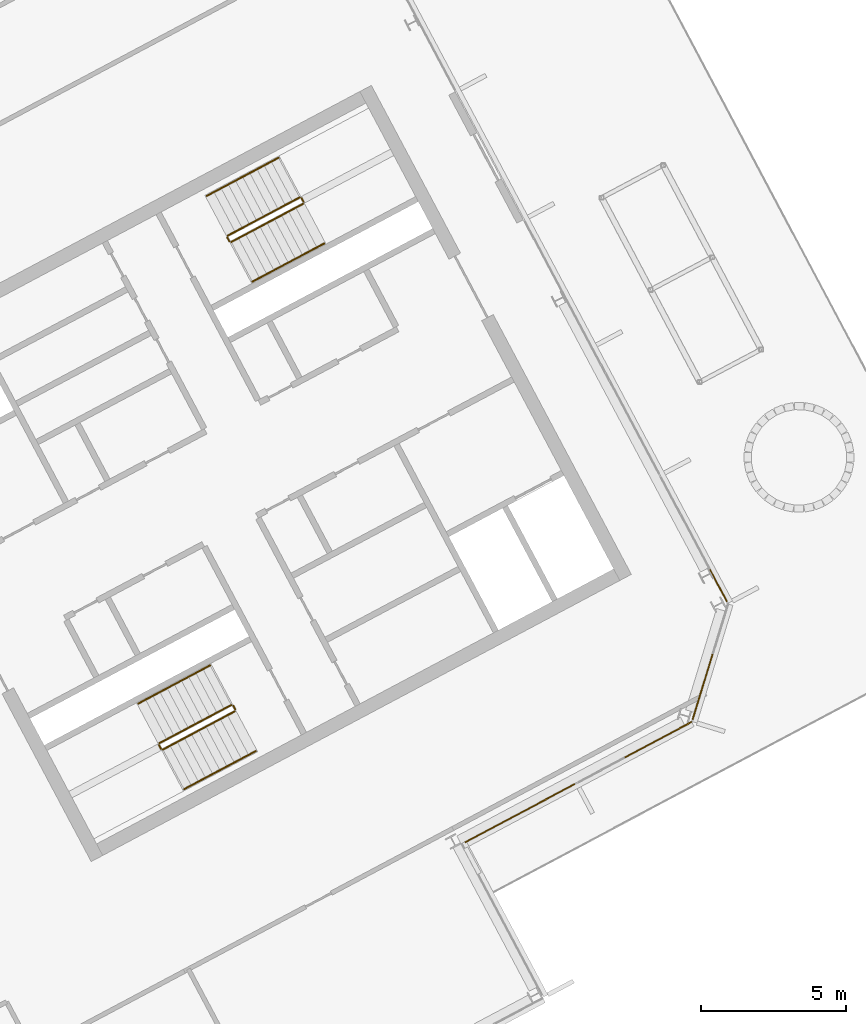
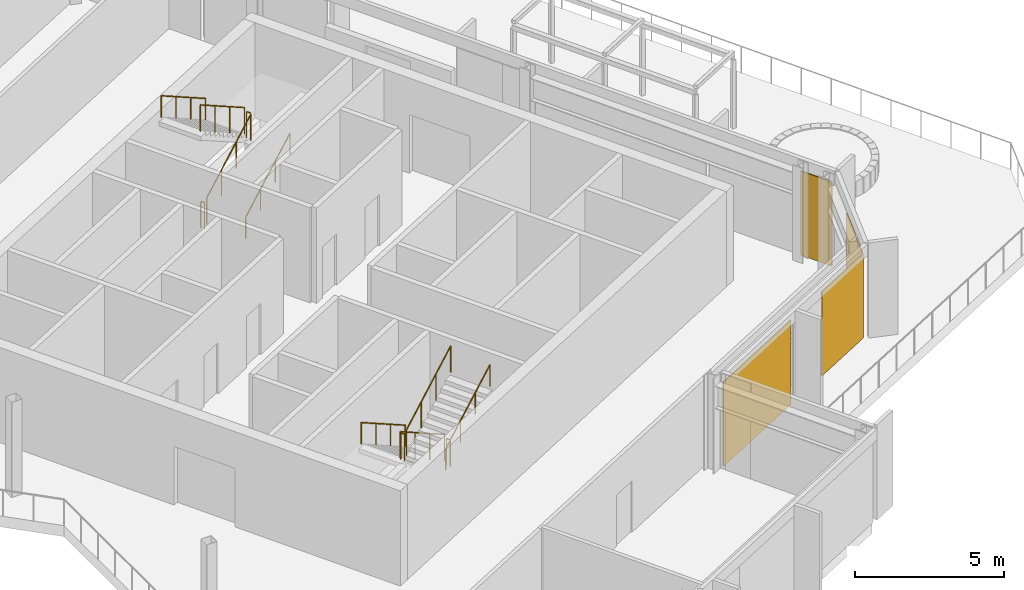
# One storey, part 27 of 30: 12 railings, 4 coverings, 3 elements without a shape of their own.
"""IFC4 building model written with IfcOpenShell, lengths in metres."""

from ifc_helpers import new_model, si_unit, direction, frame, origin, origin_2d, place, context, subcontext, project, spatial, polyline, rectangle, outline, extrude, material, layer, layer_set, type_object, element, aggregate, save


model = new_model("IFC4")

# Units and contexts
model_context = context("Model", 3, precision=1e-05, world=origin(), true_north=direction((0.0, 1.0)))
body_context = subcontext(model_context, "Body", "Model", "MODEL_VIEW")
ifc_project = project(units=[si_unit("LENGTHUNIT", "METRE"), si_unit("AREAUNIT", "SQUARE_METRE"), si_unit("VOLUMEUNIT", "CUBIC_METRE"), si_unit("PLANEANGLEUNIT", "RADIAN"), si_unit("MASSUNIT", "GRAM", prefix="KILO")], contexts=[model_context])

# Site, building, storey
site_placement = place(None, origin())
site = spatial("IfcSite", under=ifc_project, at=site_placement, CompositionType="ELEMENT")
building_placement = place(site_placement, origin())
building = spatial("IfcBuilding", under=site, at=building_placement, Name="Cormorant Relay Tower", CompositionType="ELEMENT")
storey_placement = place(building_placement, frame((0.0, 0.0, 258.0)))
storey = spatial("IfcBuildingStorey", under=building, at=storey_placement, Name="L57", CompositionType="ELEMENT", Elevation=258.0)

# Curtain wall, coverings
ifc_material_1 = material(Name="Aluminium 6063-T6 anodised bronze", Category="aluminium")
ifc_layer_1 = layer(ifc_material_1, 0.199951171875)
ifc_layer_set_1 = layer_set([ifc_layer_1], Name="CW1 unitised bronze curtain wall with vertical fins")
curtain_wall_type = type_object("IfcCurtainWallType", Name="CW1 unitised bronze curtain wall with vertical fins", PredefinedType="NOTDEFINED", material=ifc_layer_set_1)
curtain_wall_1_placement = place(storey_placement, origin())
curtain_wall_1 = element("IfcCurtainWall", 1, at=curtain_wall_1_placement, inside=storey, type_object=curtain_wall_type, Name="CW1 curtain wall 4", PredefinedType="NOTDEFINED")
ifc_material_2 = material(Name="Pale bronze anodised aluminium insulated panel", Category="aluminium")
ifc_layer_2 = layer(ifc_material_2, 0.0400390625)
ifc_layer_set_2 = layer_set([ifc_layer_2], Name="CW1 pale bronze insulated panel 40")
covering_type = type_object("IfcCoveringType", Name="CW1 pale bronze insulated panel 40", PredefinedType="CLADDING", material=ifc_layer_set_2)
covering_1_placement = place(storey_placement, frame((33.793701171875, 0.957275390625, 0.0), z_axis=(0.0, 0.0, 1.0), x_axis=(0.882947592859, 0.469471562786, 0.0)))
covering_1 = element("IfcCovering", 2, at=covering_1_placement, type_object=covering_type, Name="CW1 panel S00", PredefinedType="CLADDING", context=body_context, shape_type="SweptSolid", body=[
    extrude(rectangle(XDim=4.27490234375, YDim=0.0400390625, at=origin_2d()), origin(), (0.0, 0.0, 1.0), 3.449951171875),
])
covering_2_placement = place(storey_placement, frame((38.561767578125, 3.492431640625, 0.0), z_axis=(0.0, 0.0, 1.0), x_axis=(0.882947592859, 0.469471562786, 0.0)))
covering_2 = element("IfcCovering", 3, at=covering_2_placement, type_object=covering_type, Name="CW1 panel S02", PredefinedType="CLADDING", context=body_context, shape_type="SweptSolid", body=[
    extrude(rectangle(XDim=2.625, YDim=0.0400390625, at=origin_2d()), origin(), (0.0, 0.0, 1.0), 3.449951171875),
])
aggregate(curtain_wall_1, [covering_1, covering_2])

# Curtain wall, covering
curtain_wall_2_placement = place(storey_placement, origin())
curtain_wall_2 = element("IfcCurtainWall", 4, at=curtain_wall_2_placement, inside=storey, type_object=curtain_wall_type, Name="CW1 curtain wall 5", PredefinedType="NOTDEFINED")
covering_3_placement = place(storey_placement, frame((40.098388671875, 5.32421875, 0.0), z_axis=(0.0, 0.0, 1.0), x_axis=(0.292371704723, 0.956304755963, 0.0)))
covering_3 = element("IfcCovering", 5, at=covering_3_placement, type_object=covering_type, Name="CW1 panel S00", PredefinedType="CLADDING", context=body_context, shape_type="SweptSolid", body=[
    extrude(rectangle(XDim=2.36767578125, YDim=0.0400390625, at=origin_2d()), origin(), (0.0, 0.0, 1.0), 3.449951171875),
])
aggregate(curtain_wall_2, [covering_3])

curtain_wall_3_placement = place(storey_placement, origin())
curtain_wall_3 = element("IfcCurtainWall", 6, at=curtain_wall_3_placement, inside=storey, type_object=curtain_wall_type, Name="CW1 curtain wall 6", PredefinedType="NOTDEFINED")
covering_4_placement = place(storey_placement, frame((40.640625, 8.810791015625, 0.0), z_axis=(0.0, 0.0, 1.0), x_axis=(-0.469471562786, 0.882947592859, 0.0)))
covering_4 = element("IfcCovering", 7, at=covering_4_placement, type_object=covering_type, Name="CW1 panel S00", PredefinedType="CLADDING", context=body_context, shape_type="SweptSolid", body=[
    extrude(rectangle(XDim=1.25, YDim=0.0400390625, at=origin_2d()), origin(), (0.0, 0.0, 1.0), 3.449951171875),
])
aggregate(curtain_wall_3, [covering_4])

# Railings
ifc_material_3 = material(Name="Steel ASTM A572 Grade 50 (Fy 345 MPa)", Category="steel")
railing_type_1 = type_object("IfcRailingType", Name="Stair guard 1100", PredefinedType="GUARDRAIL", material=ifc_material_3)
railing_1_placement = place(storey_placement, frame((23.83837890625, 4.6904296875, 0.17724609375)))
element("IfcRailing", 8, at=railing_1_placement, inside=storey, type_object=railing_type_1, Name="L57 B1 stair guard 1", PredefinedType="GUARDRAIL", context=body_context, shape_type="SweptSolid", body=[
    extrude(outline(polyline([(0.022216796875, 0.00927734375), (0.00927734375, 0.022216796875), (-0.00927734375, 0.022216796875), (-0.022216796875, 0.00927734375), (-0.022216796875, -0.00927734375), (-0.00927734375, -0.022216796875), (0.00927734375, -0.022216796875), (0.022216796875, -0.00927734375), (0.022216796875, 0.00927734375)])), frame((0.0, 0.0, 1.076171875), z_axis=(-0.746033882577, -0.396627473466, 0.534901947407), x_axis=(0.469429322983, -0.882970050864, 0.0)), (0.0, 0.0, 1.0), 3.31396484375),
    extrude(outline(polyline([(0.019287109375, 0.008056640625), (0.008056640625, 0.019287109375), (-0.008056640625, 0.019287109375), (-0.019287109375, 0.008056640625), (-0.019287109375, -0.008056640625), (-0.008056640625, -0.019287109375), (0.008056640625, -0.019287109375), (0.019287109375, -0.008056640625), (0.019287109375, 0.008056640625)])), origin(), (0.0, 0.0, 1.0), 1.052001953125),
    extrude(outline(polyline([(0.019287109375, 0.008056640625), (0.008056640625, 0.019287109375), (-0.008056640625, 0.019287109375), (-0.019287109375, 0.008056640625), (-0.019287109375, -0.008056640625), (-0.008056640625, -0.019287109375), (0.008056640625, -0.019287109375), (0.019287109375, -0.008056640625), (0.019287109375, 0.008056640625)])), frame((-0.82421875, -0.438232421875, 0.5908203125)), (0.0, 0.0, 1.0), 1.052001953125),
    extrude(outline(polyline([(0.019287109375, 0.008056640625), (0.008056640625, 0.019287109375), (-0.008056640625, 0.019287109375), (-0.019287109375, 0.008056640625), (-0.019287109375, -0.008056640625), (-0.008056640625, -0.019287109375), (0.008056640625, -0.019287109375), (0.019287109375, -0.008056640625), (0.019287109375, 0.008056640625)])), frame((-1.648193359375, -0.876220703125, 1.181884765625)), (0.0, 0.0, 1.0), 1.052001953125),
    extrude(outline(polyline([(0.019287109375, 0.008056640625), (0.008056640625, 0.019287109375), (-0.008056640625, 0.019287109375), (-0.019287109375, 0.008056640625), (-0.019287109375, -0.008056640625), (-0.008056640625, -0.019287109375), (0.008056640625, -0.019287109375), (0.019287109375, -0.008056640625), (0.019287109375, 0.008056640625)])), frame((-2.472412109375, -1.314453125, 1.772705078125)), (0.0, 0.0, 1.0), 1.052001953125),
])
railing_2_placement = place(storey_placement, frame((21.345458984375, 3.308349609375, 1.949951171875)))
element("IfcRailing", 9, at=railing_2_placement, inside=storey, type_object=railing_type_1, Name="L57 B1 stair guard 2", PredefinedType="GUARDRAIL", context=body_context, shape_type="SweptSolid", body=[
    extrude(outline(polyline([(0.022216796875, 0.00927734375), (0.00927734375, 0.022216796875), (-0.00927734375, 0.022216796875), (-0.022216796875, 0.00927734375), (-0.022216796875, -0.00927734375), (-0.00927734375, -0.022216796875), (0.00927734375, -0.022216796875), (0.022216796875, -0.00927734375), (0.022216796875, 0.00927734375)])), frame((0.0, 0.0, 1.076171875), z_axis=(0.46856034887, -0.8834314911, 0.0), x_axis=(0.8834314911, 0.46856034887, 0.0)), (0.0, 0.0, 1.0), 0.150146484375),
    extrude(outline(polyline([(0.019287109375, 0.008056640625), (0.008056640625, 0.019287109375), (-0.008056640625, 0.019287109375), (-0.019287109375, 0.008056640625), (-0.019287109375, -0.008056640625), (-0.008056640625, -0.019287109375), (0.008056640625, -0.019287109375), (0.019287109375, -0.008056640625), (0.019287109375, 0.008056640625)])), origin(), (0.0, 0.0, 1.0), 1.052001953125),
    extrude(outline(polyline([(0.019287109375, 0.008056640625), (0.008056640625, 0.019287109375), (-0.008056640625, 0.019287109375), (-0.019287109375, 0.008056640625), (-0.019287109375, -0.008056640625), (-0.008056640625, -0.019287109375), (0.008056640625, -0.019287109375), (0.019287109375, -0.008056640625), (0.019287109375, 0.008056640625)])), frame((0.0703125, -0.132568359375, 0.0)), (0.0, 0.0, 1.0), 1.052001953125),
])
railing_3_placement = place(storey_placement, frame((21.4833984375, 3.1552734375, 2.127197265625)))
element("IfcRailing", 10, at=railing_3_placement, inside=storey, type_object=railing_type_1, Name="L57 B1 stair guard 3", PredefinedType="GUARDRAIL", context=body_context, shape_type="SweptSolid", body=[
    extrude(outline(polyline([(0.022216796875, 0.00927734375), (0.00927734375, 0.022216796875), (-0.00927734375, 0.022216796875), (-0.022216796875, 0.00927734375), (-0.022216796875, -0.00927734375), (-0.00927734375, -0.022216796875), (0.00927734375, -0.022216796875), (0.022216796875, -0.00927734375), (0.022216796875, 0.00927734375)])), frame((0.0, 0.0, 1.076171875), z_axis=(0.746001213114, 0.396649272309, 0.534931345884), x_axis=(-0.469465464807, 0.882950835185, 0.0)), (0.0, 0.0, 1.0), 3.31396484375),
    extrude(outline(polyline([(0.019287109375, 0.008056640625), (0.008056640625, 0.019287109375), (-0.008056640625, 0.019287109375), (-0.019287109375, 0.008056640625), (-0.019287109375, -0.008056640625), (-0.008056640625, -0.019287109375), (0.008056640625, -0.019287109375), (0.019287109375, -0.008056640625), (0.019287109375, 0.008056640625)])), origin(), (0.0, 0.0, 1.0), 1.052001953125),
    extrude(outline(polyline([(0.019287109375, 0.008056640625), (0.008056640625, 0.019287109375), (-0.008056640625, 0.019287109375), (-0.019287109375, 0.008056640625), (-0.019287109375, -0.008056640625), (-0.008056640625, -0.019287109375), (0.008056640625, -0.019287109375), (0.019287109375, -0.008056640625), (0.019287109375, 0.008056640625)])), frame((0.823974609375, 0.438232421875, 0.5908203125)), (0.0, 0.0, 1.0), 1.052001953125),
    extrude(outline(polyline([(0.019287109375, 0.008056640625), (0.008056640625, 0.019287109375), (-0.008056640625, 0.019287109375), (-0.019287109375, 0.008056640625), (-0.019287109375, -0.008056640625), (-0.008056640625, -0.019287109375), (0.008056640625, -0.019287109375), (0.019287109375, -0.008056640625), (0.019287109375, 0.008056640625)])), frame((1.648193359375, 0.876220703125, 1.181884765625)), (0.0, 0.0, 1.0), 1.052001953125),
    extrude(outline(polyline([(0.019287109375, 0.008056640625), (0.008056640625, 0.019287109375), (-0.008056640625, 0.019287109375), (-0.019287109375, 0.008056640625), (-0.019287109375, -0.008056640625), (-0.008056640625, -0.019287109375), (0.008056640625, -0.019287109375), (0.019287109375, -0.008056640625), (0.019287109375, 0.008056640625)])), frame((2.47216796875, 1.314453125, 1.772705078125)), (0.0, 0.0, 1.0), 1.052001953125),
])
railing_4_placement = place(storey_placement, frame((23.906005859375, 4.669677734375, 0.0)))
element("IfcRailing", 11, at=railing_4_placement, inside=storey, type_object=railing_type_1, Name="L57 B1 stair guard 4", PredefinedType="GUARDRAIL", context=body_context, shape_type="SweptSolid", body=[
    extrude(outline(polyline([(0.022216796875, 0.00927734375), (0.00927734375, 0.022216796875), (-0.00927734375, 0.022216796875), (-0.022216796875, 0.00927734375), (-0.022216796875, -0.00927734375), (-0.00927734375, -0.022216796875), (0.00927734375, -0.022216796875), (0.022216796875, -0.00927734375), (0.022216796875, 0.00927734375)])), frame((0.0, 0.0, 1.076171875), z_axis=(0.469234640946, -0.883073525669, 0.0), x_axis=(0.883073525669, 0.469234640946, 0.0)), (0.0, 0.0, 1.0), 0.14990234375),
    extrude(outline(polyline([(0.019287109375, 0.008056640625), (0.008056640625, 0.019287109375), (-0.008056640625, 0.019287109375), (-0.019287109375, 0.008056640625), (-0.019287109375, -0.008056640625), (-0.008056640625, -0.019287109375), (0.008056640625, -0.019287109375), (0.019287109375, -0.008056640625), (0.019287109375, 0.008056640625)])), origin(), (0.0, 0.0, 1.0), 1.052001953125),
    extrude(outline(polyline([(0.019287109375, 0.008056640625), (0.008056640625, 0.019287109375), (-0.008056640625, 0.019287109375), (-0.019287109375, 0.008056640625), (-0.019287109375, -0.008056640625), (-0.008056640625, -0.019287109375), (0.008056640625, -0.019287109375), (0.019287109375, -0.008056640625), (0.019287109375, 0.008056640625)])), frame((0.0703125, -0.13232421875, 0.0)), (0.0, 0.0, 1.0), 1.052001953125),
])
railing_5_placement = place(storey_placement, frame((23.8408203125, 20.6611328125, 0.17724609375)))
element("IfcRailing", 12, at=railing_5_placement, inside=storey, type_object=railing_type_1, Name="L57 B2 stair guard 1", PredefinedType="GUARDRAIL", context=body_context, shape_type="SweptSolid", body=[
    extrude(outline(polyline([(0.022216796875, 0.00927734375), (0.00927734375, 0.022216796875), (-0.00927734375, 0.022216796875), (-0.022216796875, 0.00927734375), (-0.022216796875, -0.00927734375), (-0.00927734375, -0.022216796875), (0.00927734375, -0.022216796875), (0.022216796875, -0.00927734375), (0.022216796875, 0.00927734375)])), frame((0.0, 0.0, 1.076171875), z_axis=(0.746033882577, 0.396627473466, 0.534901947407), x_axis=(-0.469429322983, 0.882970050864, 0.0)), (0.0, 0.0, 1.0), 3.31396484375),
    extrude(outline(polyline([(0.019287109375, 0.008056640625), (0.008056640625, 0.019287109375), (-0.008056640625, 0.019287109375), (-0.019287109375, 0.008056640625), (-0.019287109375, -0.008056640625), (-0.008056640625, -0.019287109375), (0.008056640625, -0.019287109375), (0.019287109375, -0.008056640625), (0.019287109375, 0.008056640625)])), origin(), (0.0, 0.0, 1.0), 1.052001953125),
    extrude(outline(polyline([(0.019287109375, 0.008056640625), (0.008056640625, 0.019287109375), (-0.008056640625, 0.019287109375), (-0.019287109375, 0.008056640625), (-0.019287109375, -0.008056640625), (-0.008056640625, -0.019287109375), (0.008056640625, -0.019287109375), (0.019287109375, -0.008056640625), (0.019287109375, 0.008056640625)])), frame((0.82421875, 0.438232421875, 0.5908203125)), (0.0, 0.0, 1.0), 1.052001953125),
    extrude(outline(polyline([(0.019287109375, 0.008056640625), (0.008056640625, 0.019287109375), (-0.008056640625, 0.019287109375), (-0.019287109375, 0.008056640625), (-0.019287109375, -0.008056640625), (-0.008056640625, -0.019287109375), (0.008056640625, -0.019287109375), (0.019287109375, -0.008056640625), (0.019287109375, 0.008056640625)])), frame((1.648193359375, 0.876220703125, 1.181884765625)), (0.0, 0.0, 1.0), 1.052001953125),
    extrude(outline(polyline([(0.019287109375, 0.008056640625), (0.008056640625, 0.019287109375), (-0.008056640625, 0.019287109375), (-0.019287109375, 0.008056640625), (-0.019287109375, -0.008056640625), (-0.008056640625, -0.019287109375), (0.008056640625, -0.019287109375), (0.019287109375, -0.008056640625), (0.019287109375, 0.008056640625)])), frame((2.472412109375, 1.314453125, 1.772705078125)), (0.0, 0.0, 1.0), 1.052001953125),
])
railing_6_placement = place(storey_placement, frame((26.333740234375, 22.043212890625, 1.949951171875)))
element("IfcRailing", 13, at=railing_6_placement, inside=storey, type_object=railing_type_1, Name="L57 B2 stair guard 2", PredefinedType="GUARDRAIL", context=body_context, shape_type="SweptSolid", body=[
    extrude(outline(polyline([(0.022216796875, 0.00927734375), (0.00927734375, 0.022216796875), (-0.00927734375, 0.022216796875), (-0.022216796875, 0.00927734375), (-0.022216796875, -0.00927734375), (-0.00927734375, -0.022216796875), (0.00927734375, -0.022216796875), (0.022216796875, -0.00927734375), (0.022216796875, 0.00927734375)])), frame((0.0, 0.0, 1.076171875), z_axis=(-0.469234640946, 0.883073525669, 0.0), x_axis=(-0.883073525669, -0.469234640946, 0.0)), (0.0, 0.0, 1.0), 0.14990234375),
    extrude(outline(polyline([(0.019287109375, 0.008056640625), (0.008056640625, 0.019287109375), (-0.008056640625, 0.019287109375), (-0.019287109375, 0.008056640625), (-0.019287109375, -0.008056640625), (-0.008056640625, -0.019287109375), (0.008056640625, -0.019287109375), (0.019287109375, -0.008056640625), (0.019287109375, 0.008056640625)])), origin(), (0.0, 0.0, 1.0), 1.052001953125),
    extrude(outline(polyline([(0.019287109375, 0.008056640625), (0.008056640625, 0.019287109375), (-0.008056640625, 0.019287109375), (-0.019287109375, 0.008056640625), (-0.019287109375, -0.008056640625), (-0.008056640625, -0.019287109375), (0.008056640625, -0.019287109375), (0.019287109375, -0.008056640625), (0.019287109375, 0.008056640625)])), frame((-0.0703125, 0.13232421875, 0.0)), (0.0, 0.0, 1.0), 1.052001953125),
])
railing_7_placement = place(storey_placement, frame((26.19580078125, 22.1962890625, 2.127197265625)))
element("IfcRailing", 14, at=railing_7_placement, inside=storey, type_object=railing_type_1, Name="L57 B2 stair guard 3", PredefinedType="GUARDRAIL", context=body_context, shape_type="SweptSolid", body=[
    extrude(outline(polyline([(0.022216796875, 0.00927734375), (0.00927734375, 0.022216796875), (-0.00927734375, 0.022216796875), (-0.022216796875, 0.00927734375), (-0.022216796875, -0.00927734375), (-0.00927734375, -0.022216796875), (0.00927734375, -0.022216796875), (0.022216796875, -0.00927734375), (0.022216796875, 0.00927734375)])), frame((0.0, 0.0, 1.076171875), z_axis=(-0.746033882577, -0.396627473466, 0.534901947407), x_axis=(0.469429322983, -0.882970050864, 0.0)), (0.0, 0.0, 1.0), 3.31396484375),
    extrude(outline(polyline([(0.019287109375, 0.008056640625), (0.008056640625, 0.019287109375), (-0.008056640625, 0.019287109375), (-0.019287109375, 0.008056640625), (-0.019287109375, -0.008056640625), (-0.008056640625, -0.019287109375), (0.008056640625, -0.019287109375), (0.019287109375, -0.008056640625), (0.019287109375, 0.008056640625)])), origin(), (0.0, 0.0, 1.0), 1.052001953125),
    extrude(outline(polyline([(0.019287109375, 0.008056640625), (0.008056640625, 0.019287109375), (-0.008056640625, 0.019287109375), (-0.019287109375, 0.008056640625), (-0.019287109375, -0.008056640625), (-0.008056640625, -0.019287109375), (0.008056640625, -0.019287109375), (0.019287109375, -0.008056640625), (0.019287109375, 0.008056640625)])), frame((-0.82421875, -0.438232421875, 0.5908203125)), (0.0, 0.0, 1.0), 1.052001953125),
    extrude(outline(polyline([(0.019287109375, 0.008056640625), (0.008056640625, 0.019287109375), (-0.008056640625, 0.019287109375), (-0.019287109375, 0.008056640625), (-0.019287109375, -0.008056640625), (-0.008056640625, -0.019287109375), (0.008056640625, -0.019287109375), (0.019287109375, -0.008056640625), (0.019287109375, 0.008056640625)])), frame((-1.648193359375, -0.876220703125, 1.181884765625)), (0.0, 0.0, 1.0), 1.052001953125),
    extrude(outline(polyline([(0.019287109375, 0.008056640625), (0.008056640625, 0.019287109375), (-0.008056640625, 0.019287109375), (-0.019287109375, 0.008056640625), (-0.019287109375, -0.008056640625), (-0.008056640625, -0.019287109375), (0.008056640625, -0.019287109375), (0.019287109375, -0.008056640625), (0.019287109375, 0.008056640625)])), frame((-2.472412109375, -1.314453125, 1.772705078125)), (0.0, 0.0, 1.0), 1.052001953125),
])
railing_8_placement = place(storey_placement, frame((23.773193359375, 20.681640625, 0.0)))
element("IfcRailing", 15, at=railing_8_placement, inside=storey, type_object=railing_type_1, Name="L57 B2 stair guard 4", PredefinedType="GUARDRAIL", context=body_context, shape_type="SweptSolid", body=[
    extrude(outline(polyline([(0.022216796875, 0.00927734375), (0.00927734375, 0.022216796875), (-0.00927734375, 0.022216796875), (-0.022216796875, 0.00927734375), (-0.022216796875, -0.00927734375), (-0.00927734375, -0.022216796875), (0.00927734375, -0.022216796875), (0.022216796875, -0.00927734375), (0.022216796875, 0.00927734375)])), frame((0.0, 0.0, 1.076171875), z_axis=(-0.46856034887, 0.8834314911, 0.0), x_axis=(-0.8834314911, -0.46856034887, 0.0)), (0.0, 0.0, 1.0), 0.150146484375),
    extrude(outline(polyline([(0.019287109375, 0.008056640625), (0.008056640625, 0.019287109375), (-0.008056640625, 0.019287109375), (-0.019287109375, 0.008056640625), (-0.019287109375, -0.008056640625), (-0.008056640625, -0.019287109375), (0.008056640625, -0.019287109375), (0.019287109375, -0.008056640625), (0.019287109375, 0.008056640625)])), origin(), (0.0, 0.0, 1.0), 1.052001953125),
    extrude(outline(polyline([(0.019287109375, 0.008056640625), (0.008056640625, 0.019287109375), (-0.008056640625, 0.019287109375), (-0.019287109375, 0.008056640625), (-0.019287109375, -0.008056640625), (-0.008056640625, -0.019287109375), (0.008056640625, -0.019287109375), (0.019287109375, -0.008056640625), (0.019287109375, 0.008056640625)])), frame((-0.0703125, 0.132568359375, 0.0)), (0.0, 0.0, 1.0), 1.052001953125),
])
ifc_material_4 = material(Name="Steel ASTM A572 Grade 50 (Fy 345 MPa)", Category="steel")
railing_type_2 = type_object("IfcRailingType", Name="Stair handrail 900", PredefinedType="HANDRAIL", material=ifc_material_4)
railing_9_placement = place(storey_placement, frame((23.110595703125, 6.05908203125, 0.17724609375)))
element("IfcRailing", 16, at=railing_9_placement, inside=storey, type_object=railing_type_2, Name="L57 B1 stair handrail 1", PredefinedType="HANDRAIL", context=body_context, shape_type="SweptSolid", body=[
    extrude(outline(polyline([(0.022216796875, 0.00927734375), (0.00927734375, 0.022216796875), (-0.00927734375, 0.022216796875), (-0.022216796875, 0.00927734375), (-0.022216796875, -0.00927734375), (-0.00927734375, -0.022216796875), (0.00927734375, -0.022216796875), (0.022216796875, -0.00927734375), (0.022216796875, 0.00927734375)])), frame((0.0, 0.0, 0.8759765625), z_axis=(-0.745979412481, -0.396711350603, 0.534915713414), x_axis=(0.469533439143, -0.882914689835, 0.0)), (0.0, 0.0, 1.0), 3.31396484375),
    extrude(outline(polyline([(0.019287109375, 0.008056640625), (0.008056640625, 0.019287109375), (-0.008056640625, 0.019287109375), (-0.019287109375, 0.008056640625), (-0.019287109375, -0.008056640625), (-0.008056640625, -0.019287109375), (0.008056640625, -0.019287109375), (0.019287109375, -0.008056640625), (0.019287109375, 0.008056640625)])), origin(), (0.0, 0.0, 1.0), 0.851806640625),
    extrude(outline(polyline([(0.019287109375, 0.008056640625), (0.008056640625, 0.019287109375), (-0.008056640625, 0.019287109375), (-0.019287109375, 0.008056640625), (-0.019287109375, -0.008056640625), (-0.008056640625, -0.019287109375), (0.008056640625, -0.019287109375), (0.019287109375, -0.008056640625), (0.019287109375, 0.008056640625)])), frame((-0.823974609375, -0.438232421875, 0.5908203125)), (0.0, 0.0, 1.0), 0.851806640625),
    extrude(outline(polyline([(0.019287109375, 0.008056640625), (0.008056640625, 0.019287109375), (-0.008056640625, 0.019287109375), (-0.019287109375, 0.008056640625), (-0.019287109375, -0.008056640625), (-0.008056640625, -0.019287109375), (0.008056640625, -0.019287109375), (0.019287109375, -0.008056640625), (0.019287109375, 0.008056640625)])), frame((-1.648193359375, -0.87646484375, 1.181884765625)), (0.0, 0.0, 1.0), 0.851806640625),
    extrude(outline(polyline([(0.019287109375, 0.008056640625), (0.008056640625, 0.019287109375), (-0.008056640625, 0.019287109375), (-0.019287109375, 0.008056640625), (-0.019287109375, -0.008056640625), (-0.008056640625, -0.019287109375), (0.008056640625, -0.019287109375), (0.019287109375, -0.008056640625), (0.019287109375, 0.008056640625)])), frame((-2.47216796875, -1.314697265625, 1.772705078125)), (0.0, 0.0, 1.0), 0.851806640625),
])
railing_10_placement = place(storey_placement, frame((22.211181640625, 1.78662109375, 2.127197265625)))
element("IfcRailing", 17, at=railing_10_placement, inside=storey, type_object=railing_type_2, Name="L57 B1 stair handrail 2", PredefinedType="HANDRAIL", context=body_context, shape_type="SweptSolid", body=[
    extrude(outline(polyline([(0.022216796875, 0.00927734375), (0.00927734375, 0.022216796875), (-0.00927734375, 0.022216796875), (-0.022216796875, 0.00927734375), (-0.022216796875, -0.00927734375), (-0.00927734375, -0.022216796875), (0.00927734375, -0.022216796875), (0.022216796875, -0.00927734375), (0.022216796875, 0.00927734375)])), frame((0.0, 0.0, 0.8759765625), z_axis=(0.746001213114, 0.396649272309, 0.534931345884), x_axis=(-0.469465464807, 0.882950835185, 0.0)), (0.0, 0.0, 1.0), 3.31396484375),
    extrude(outline(polyline([(0.019287109375, 0.008056640625), (0.008056640625, 0.019287109375), (-0.008056640625, 0.019287109375), (-0.019287109375, 0.008056640625), (-0.019287109375, -0.008056640625), (-0.008056640625, -0.019287109375), (0.008056640625, -0.019287109375), (0.019287109375, -0.008056640625), (0.019287109375, 0.008056640625)])), origin(), (0.0, 0.0, 1.0), 0.851806640625),
    extrude(outline(polyline([(0.019287109375, 0.008056640625), (0.008056640625, 0.019287109375), (-0.008056640625, 0.019287109375), (-0.019287109375, 0.008056640625), (-0.019287109375, -0.008056640625), (-0.008056640625, -0.019287109375), (0.008056640625, -0.019287109375), (0.019287109375, -0.008056640625), (0.019287109375, 0.008056640625)])), frame((0.823974609375, 0.438232421875, 0.5908203125)), (0.0, 0.0, 1.0), 0.851806640625),
    extrude(outline(polyline([(0.019287109375, 0.008056640625), (0.008056640625, 0.019287109375), (-0.008056640625, 0.019287109375), (-0.019287109375, 0.008056640625), (-0.019287109375, -0.008056640625), (-0.008056640625, -0.019287109375), (0.008056640625, -0.019287109375), (0.019287109375, -0.008056640625), (0.019287109375, 0.008056640625)])), frame((1.648193359375, 0.876220703125, 1.181884765625)), (0.0, 0.0, 1.0), 0.851806640625),
    extrude(outline(polyline([(0.019287109375, 0.008056640625), (0.008056640625, 0.019287109375), (-0.008056640625, 0.019287109375), (-0.019287109375, 0.008056640625), (-0.019287109375, -0.008056640625), (-0.008056640625, -0.019287109375), (0.008056640625, -0.019287109375), (0.019287109375, -0.008056640625), (0.019287109375, 0.008056640625)])), frame((2.47216796875, 1.314453125, 1.772705078125)), (0.0, 0.0, 1.0), 0.851806640625),
])
railing_11_placement = place(storey_placement, frame((24.568603515625, 19.29248046875, 0.17724609375)))
element("IfcRailing", 18, at=railing_11_placement, inside=storey, type_object=railing_type_2, Name="L57 B2 stair handrail 1", PredefinedType="HANDRAIL", context=body_context, shape_type="SweptSolid", body=[
    extrude(outline(polyline([(0.022216796875, 0.00927734375), (0.00927734375, 0.022216796875), (-0.00927734375, 0.022216796875), (-0.022216796875, 0.00927734375), (-0.022216796875, -0.00927734375), (-0.00927734375, -0.022216796875), (0.00927734375, -0.022216796875), (0.022216796875, -0.00927734375), (0.022216796875, 0.00927734375)])), frame((0.0, 0.0, 0.8759765625), z_axis=(0.746001213114, 0.396649272309, 0.534931345884), x_axis=(-0.469465464807, 0.882950835185, 0.0)), (0.0, 0.0, 1.0), 3.31396484375),
    extrude(outline(polyline([(0.019287109375, 0.008056640625), (0.008056640625, 0.019287109375), (-0.008056640625, 0.019287109375), (-0.019287109375, 0.008056640625), (-0.019287109375, -0.008056640625), (-0.008056640625, -0.019287109375), (0.008056640625, -0.019287109375), (0.019287109375, -0.008056640625), (0.019287109375, 0.008056640625)])), origin(), (0.0, 0.0, 1.0), 0.851806640625),
    extrude(outline(polyline([(0.019287109375, 0.008056640625), (0.008056640625, 0.019287109375), (-0.008056640625, 0.019287109375), (-0.019287109375, 0.008056640625), (-0.019287109375, -0.008056640625), (-0.008056640625, -0.019287109375), (0.008056640625, -0.019287109375), (0.019287109375, -0.008056640625), (0.019287109375, 0.008056640625)])), frame((0.823974609375, 0.438232421875, 0.5908203125)), (0.0, 0.0, 1.0), 0.851806640625),
    extrude(outline(polyline([(0.019287109375, 0.008056640625), (0.008056640625, 0.019287109375), (-0.008056640625, 0.019287109375), (-0.019287109375, 0.008056640625), (-0.019287109375, -0.008056640625), (-0.008056640625, -0.019287109375), (0.008056640625, -0.019287109375), (0.019287109375, -0.008056640625), (0.019287109375, 0.008056640625)])), frame((1.648193359375, 0.876220703125, 1.181884765625)), (0.0, 0.0, 1.0), 0.851806640625),
    extrude(outline(polyline([(0.019287109375, 0.008056640625), (0.008056640625, 0.019287109375), (-0.008056640625, 0.019287109375), (-0.019287109375, 0.008056640625), (-0.019287109375, -0.008056640625), (-0.008056640625, -0.019287109375), (0.008056640625, -0.019287109375), (0.019287109375, -0.008056640625), (0.019287109375, 0.008056640625)])), frame((2.47216796875, 1.314453125, 1.772705078125)), (0.0, 0.0, 1.0), 0.851806640625),
])
railing_12_placement = place(storey_placement, frame((25.468017578125, 23.56494140625, 2.127197265625)))
element("IfcRailing", 19, at=railing_12_placement, inside=storey, type_object=railing_type_2, Name="L57 B2 stair handrail 2", PredefinedType="HANDRAIL", context=body_context, shape_type="SweptSolid", body=[
    extrude(outline(polyline([(0.022216796875, 0.00927734375), (0.00927734375, 0.022216796875), (-0.00927734375, 0.022216796875), (-0.022216796875, 0.00927734375), (-0.022216796875, -0.00927734375), (-0.00927734375, -0.022216796875), (0.00927734375, -0.022216796875), (0.022216796875, -0.00927734375), (0.022216796875, 0.00927734375)])), frame((0.0, 0.0, 0.8759765625), z_axis=(-0.745979412481, -0.396711350603, 0.534915713414), x_axis=(0.469533439143, -0.882914689835, 0.0)), (0.0, 0.0, 1.0), 3.31396484375),
    extrude(outline(polyline([(0.019287109375, 0.008056640625), (0.008056640625, 0.019287109375), (-0.008056640625, 0.019287109375), (-0.019287109375, 0.008056640625), (-0.019287109375, -0.008056640625), (-0.008056640625, -0.019287109375), (0.008056640625, -0.019287109375), (0.019287109375, -0.008056640625), (0.019287109375, 0.008056640625)])), origin(), (0.0, 0.0, 1.0), 0.851806640625),
    extrude(outline(polyline([(0.019287109375, 0.008056640625), (0.008056640625, 0.019287109375), (-0.008056640625, 0.019287109375), (-0.019287109375, 0.008056640625), (-0.019287109375, -0.008056640625), (-0.008056640625, -0.019287109375), (0.008056640625, -0.019287109375), (0.019287109375, -0.008056640625), (0.019287109375, 0.008056640625)])), frame((-0.823974609375, -0.438232421875, 0.5908203125)), (0.0, 0.0, 1.0), 0.851806640625),
    extrude(outline(polyline([(0.019287109375, 0.008056640625), (0.008056640625, 0.019287109375), (-0.008056640625, 0.019287109375), (-0.019287109375, 0.008056640625), (-0.019287109375, -0.008056640625), (-0.008056640625, -0.019287109375), (0.008056640625, -0.019287109375), (0.019287109375, -0.008056640625), (0.019287109375, 0.008056640625)])), frame((-1.648193359375, -0.87646484375, 1.181884765625)), (0.0, 0.0, 1.0), 0.851806640625),
    extrude(outline(polyline([(0.019287109375, 0.008056640625), (0.008056640625, 0.019287109375), (-0.008056640625, 0.019287109375), (-0.019287109375, 0.008056640625), (-0.019287109375, -0.008056640625), (-0.008056640625, -0.019287109375), (0.008056640625, -0.019287109375), (0.019287109375, -0.008056640625), (0.019287109375, 0.008056640625)])), frame((-2.47216796875, -1.314697265625, 1.772705078125)), (0.0, 0.0, 1.0), 0.851806640625),
])

save(model, "model.ifc")
